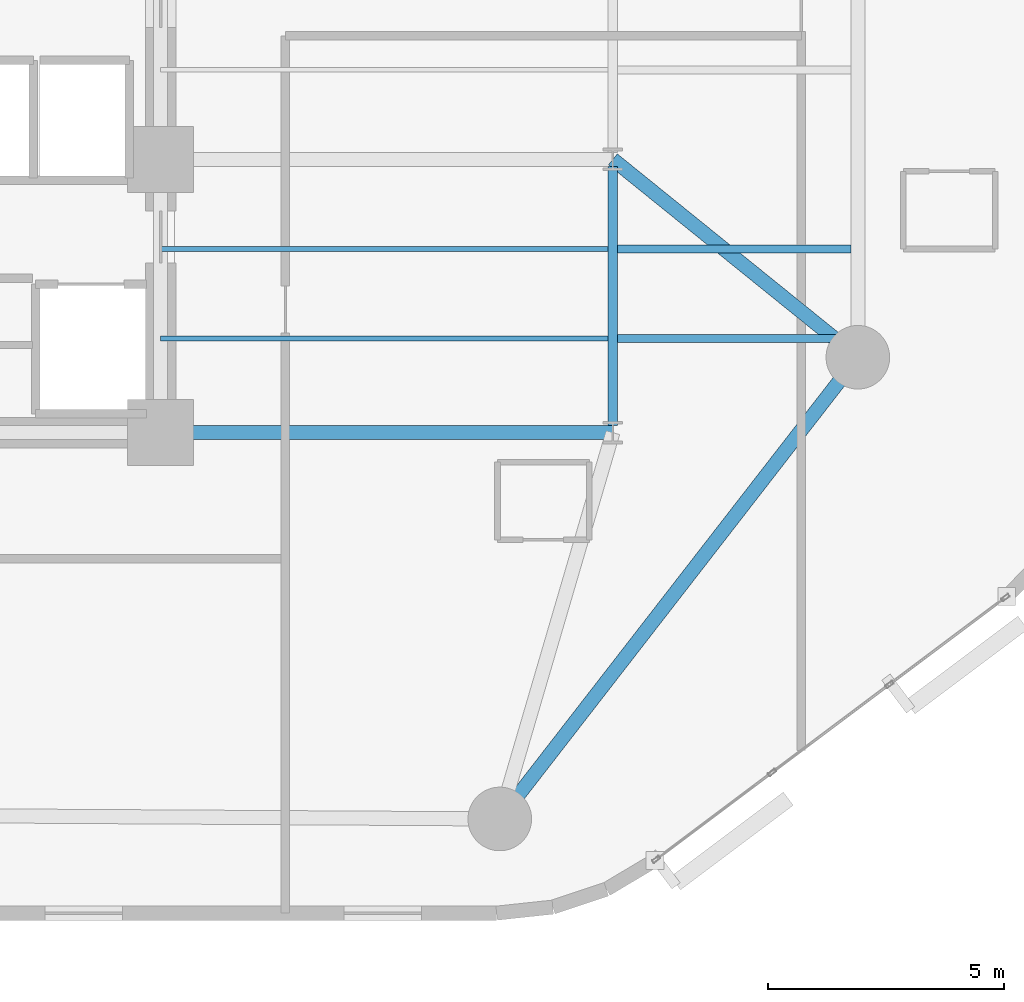
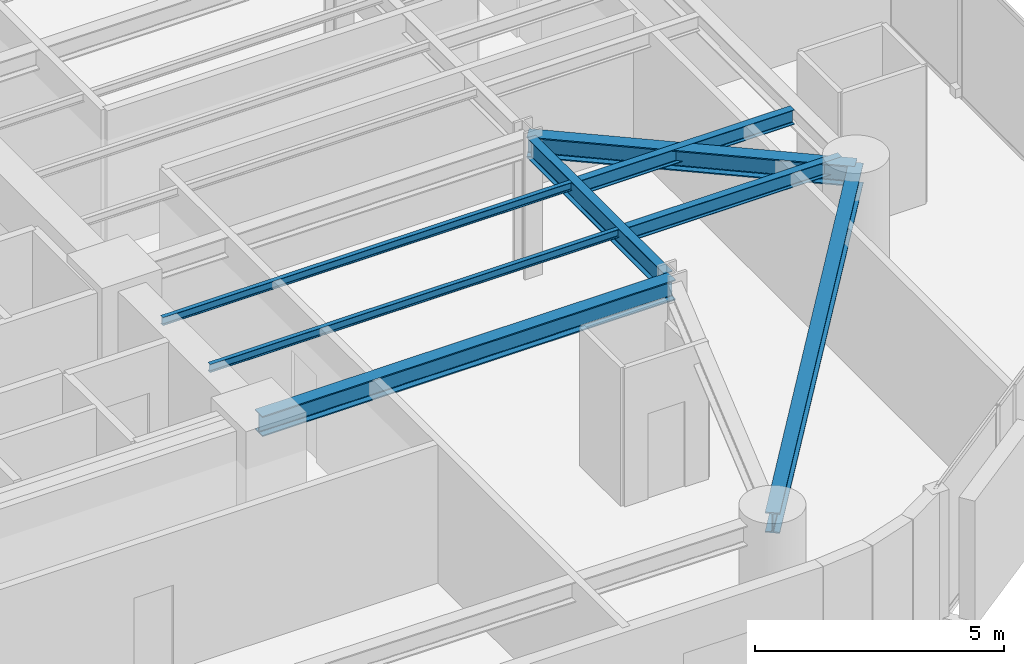
# One storey, part 3 of 16: 8 beams.
"""IFC4 building model written with IfcOpenShell, lengths in metres."""

from ifc_helpers import new_model, si_unit, direction, frame, origin, origin_2d, place, context, subcontext, project, spatial, i_section, extrude, material, material_profile, profile_set, type_object, element, save


model = new_model("IFC4")

# Units and contexts
model_context = context("Model", 3, precision=1e-05, world=origin(), true_north=direction((0.0, 1.0)))
body_context = subcontext(model_context, "Body", "Model", "MODEL_VIEW")
ifc_project = project(units=[si_unit("LENGTHUNIT", "METRE"), si_unit("AREAUNIT", "SQUARE_METRE"), si_unit("VOLUMEUNIT", "CUBIC_METRE"), si_unit("PLANEANGLEUNIT", "RADIAN"), si_unit("MASSUNIT", "GRAM", prefix="KILO")], contexts=[model_context])

# Site, building, storey
site_placement = place(None, origin())
site = spatial("IfcSite", under=ifc_project, at=site_placement, CompositionType="ELEMENT")
building_placement = place(site_placement, origin())
building = spatial("IfcBuilding", under=site, at=building_placement, Name="An Khanh Terracotta Commons", CompositionType="ELEMENT")
storey_placement = place(building_placement, frame((0.0, 0.0, 107.89990234375)))
storey = spatial("IfcBuildingStorey", under=building, at=storey_placement, Name="L28", CompositionType="ELEMENT", Elevation=107.89990234375)

# Beams
ifc_material = material(Name="Steel S355J2", Category="steel")
ifc_material_profile_1 = material_profile(ifc_material, i_section(OverallWidth=0.300048828125, OverallDepth=0.5, WebThickness=0.014404296875, FlangeThickness=0.028076171875, FilletRadius=0.027099609375, at=origin_2d()), Name="HEB500")
ifc_profile_set_1 = profile_set([ifc_material_profile_1], Name="Steel S355J2")
beam_type_1 = type_object("IfcBeamType", Name="BM-HEB500", PredefinedType="BEAM", material=ifc_profile_set_1)
beam_1_placement = place(storey_placement, frame((44.39990234375, 6.199951171875, 3.150146484375), z_axis=(0.612826529795, 0.790217466511, 0.0), x_axis=(-0.790217466511, 0.612826529795, 0.0)))
element("IfcBeam", 1, at=beam_1_placement, inside=storey, type_object=beam_type_1, Name="L28 Perimeter Ring Spandrel 2", PredefinedType="BEAM", context=body_context, shape_type="SweptSolid", body=[
    extrude(i_section(OverallWidth=0.300048828125, OverallDepth=0.5, WebThickness=0.014404296875, FlangeThickness=0.028076171875, FilletRadius=0.027099609375, at=origin_2d()), origin(), (0.0, 0.0, 1.0), 12.401611328125),
])
beam_2_placement = place(storey_placement, frame((37.199951171875, 14.39990234375, 3.150146484375), z_axis=(1.0, 0.0, 0.0), x_axis=(0.0, 1.0, 0.0)))
element("IfcBeam", 2, at=beam_2_placement, inside=storey, type_object=beam_type_1, Name="L28 East Primary Floor Girder 1", PredefinedType="BEAM", context=body_context, shape_type="SweptSolid", body=[
    extrude(i_section(OverallWidth=0.300048828125, OverallDepth=0.5, WebThickness=0.014404296875, FlangeThickness=0.028076171875, FilletRadius=0.027099609375, at=origin_2d()), origin(), (0.0, 0.0, 1.0), 9.60009765625),
])
beam_3_placement = place(storey_placement, frame((52.0, 16.0, 3.150146484375), z_axis=(-0.777941866883, 0.628336256913, 0.0), x_axis=(-0.628336256913, -0.777941866883, 0.0)))
element("IfcBeam", 3, at=beam_3_placement, inside=storey, type_object=beam_type_1, Name="L28 Mega-Column Tie Girder 3", PredefinedType="BEAM", context=body_context, shape_type="SweptSolid", body=[
    extrude(i_section(OverallWidth=0.300048828125, OverallDepth=0.5, WebThickness=0.014404296875, FlangeThickness=0.028076171875, FilletRadius=0.027099609375, at=origin_2d()), origin(), (0.0, 0.0, 1.0), 6.684326171875),
])
ifc_material_profile_2 = material_profile(ifc_material, i_section(OverallWidth=0.10009765625, OverallDepth=0.199951171875, WebThickness=0.005615234375, FlangeThickness=0.008544921875, FilletRadius=0.011962890625, at=origin_2d()), Name="IPE200")
ifc_profile_set_2 = profile_set([ifc_material_profile_2], Name="Steel S355J2")
beam_type_2 = type_object("IfcBeamType", Name="BM-IPE200", PredefinedType="JOIST", material=ifc_profile_set_2)
for number, where, z_axis, x_axis, name in (
    (4, (37.199951171875, 16.39990234375, 3.300048828125), (1.0, 0.0, 0.0), (0.0, 1.0, 0.0), "L28 Inboard Composite Joist 1"),
    (5, (37.199951171875, 18.300048828125, 3.300048828125), (1.0, 0.0, 0.0), (0.0, 1.0, 0.0), "L28 Inboard Composite Joist 2"),
):
    element("IfcBeam", number, at=place(storey_placement, frame(where, z_axis=z_axis, x_axis=x_axis)), inside=storey, type_object=beam_type_2, Name=name, PredefinedType="JOIST", context=body_context, shape_type="SweptSolid", body=[
        extrude(i_section(OverallWidth=0.10009765625, OverallDepth=0.199951171875, WebThickness=0.005615234375, FlangeThickness=0.008544921875, FilletRadius=0.011962890625, at=origin_2d()), origin(), (0.0, 0.0, 1.0), 9.5),
    ])
ifc_material_profile_3 = material_profile(ifc_material, i_section(OverallWidth=0.169921875, OverallDepth=0.360107421875, WebThickness=0.008056640625, FlangeThickness=0.0126953125, FilletRadius=0.01806640625, at=origin_2d()), Name="IPE360")
ifc_profile_set_3 = profile_set([ifc_material_profile_3], Name="Steel S355J2")
beam_type_3 = type_object("IfcBeamType", Name="BM-IPE360", PredefinedType="JOIST", material=ifc_profile_set_3)
for number, where, z_axis, x_axis, name in (
    (6, (46.89990234375, 16.39990234375, 3.22021484375), (1.0, 0.0, 0.0), (0.0, 1.0, 0.0), "L28 Riverfront Composite Joist 1"),
    (7, (46.89990234375, 18.300048828125, 3.22021484375), (1.0, 0.0, 0.0), (0.0, 1.0, 0.0), "L28 Riverfront Composite Joist 2"),
):
    element("IfcBeam", number, at=place(storey_placement, frame(where, z_axis=z_axis, x_axis=x_axis)), inside=storey, type_object=beam_type_3, Name=name, PredefinedType="JOIST", context=body_context, shape_type="SweptSolid", body=[
        extrude(i_section(OverallWidth=0.169921875, OverallDepth=0.360107421875, WebThickness=0.008056640625, FlangeThickness=0.0126953125, FilletRadius=0.01806640625, at=origin_2d()), origin(), (0.0, 0.0, 1.0), 4.9501953125),
    ])
ifc_material_profile_4 = material_profile(ifc_material, i_section(OverallWidth=0.199951171875, OverallDepth=0.5, WebThickness=0.01025390625, FlangeThickness=0.01611328125, FilletRadius=0.02099609375, at=origin_2d()), Name="IPE500")
ifc_profile_set_4 = profile_set([ifc_material_profile_4], Name="Steel S355J2")
beam_type_4 = type_object("IfcBeamType", Name="BM-IPE500", PredefinedType="BEAM", material=ifc_profile_set_4)
beam_4_placement = place(storey_placement, frame((46.800048828125, 14.550048828125, 3.150146484375), z_axis=(0.0, 1.0, 0.0), x_axis=(-1.0, 0.0, 0.0)))
element("IfcBeam", 8, at=beam_4_placement, inside=storey, type_object=beam_type_4, Name="L28 East Spine Girder 1", PredefinedType="BEAM", context=body_context, shape_type="SweptSolid", body=[
    extrude(i_section(OverallWidth=0.199951171875, OverallDepth=0.5, WebThickness=0.01025390625, FlangeThickness=0.01611328125, FilletRadius=0.02099609375, at=origin_2d()), origin(), (0.0, 0.0, 1.0), 5.5),
])

save(model, "model.ifc")
